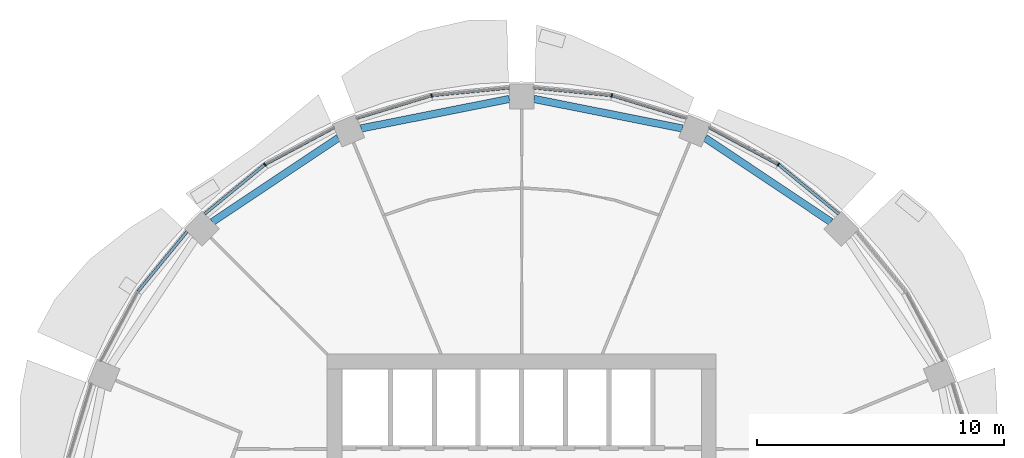
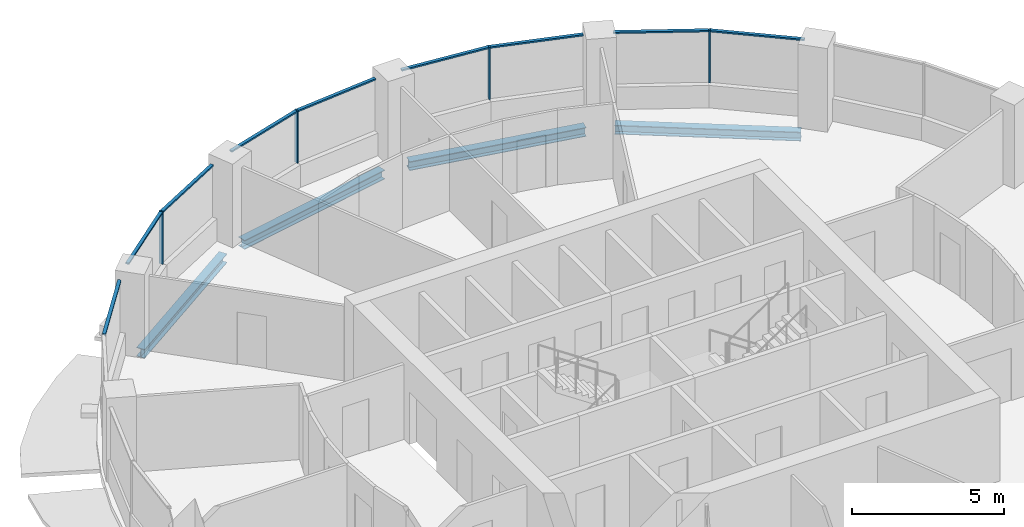
# One storey, part 6 of 14: 13 members, 4 beams, 5 elements without a shape of their own.
"""IFC4 building model written with IfcOpenShell, lengths in metres."""

from ifc_helpers import new_model, si_unit, direction, frame, origin, origin_2d, place, context, subcontext, project, spatial, rectangle, i_section, extrude, material, material_profile, profile_set, type_object, element, aggregate, save


model = new_model("IFC4")

# Units and contexts
model_context = context("Model", 3, precision=1e-05, world=origin(), true_north=direction((0.0, 1.0)))
body_context = subcontext(model_context, "Body", "Model", "MODEL_VIEW")
ifc_project = project(units=[si_unit("LENGTHUNIT", "METRE"), si_unit("AREAUNIT", "SQUARE_METRE"), si_unit("VOLUMEUNIT", "CUBIC_METRE"), si_unit("PLANEANGLEUNIT", "RADIAN"), si_unit("MASSUNIT", "GRAM", prefix="KILO")], contexts=[model_context])

# Site, building, storey
site_placement = place(None, origin())
site = spatial("IfcSite", under=ifc_project, at=site_placement, CompositionType="ELEMENT")
building_placement = place(site_placement, origin())
building = spatial("IfcBuilding", under=site, at=building_placement, Name="Polderwave Tower", CompositionType="ELEMENT")
storey_placement = place(building_placement, frame((0.0, 0.0, 141.050048828125)))
storey = spatial("IfcBuildingStorey", under=building, at=storey_placement, Name="L37", CompositionType="ELEMENT", Elevation=141.050048828125)

# Curtain wall, member
ifc_material_1 = material(Name="Aluminium 6063-T6 and glass", Category="aluminium")
curtain_wall_type = type_object("IfcCurtainWallType", Name="Office ribbon glazing wall", PredefinedType="NOTDEFINED", material=ifc_material_1)
curtain_wall_1_placement = place(storey_placement, origin())
curtain_wall_1 = element("IfcCurtainWall", 1, at=curtain_wall_1_placement, inside=storey, type_object=curtain_wall_type, Name="CW3 L37 02", PredefinedType="NOTDEFINED")
ifc_material_2 = material(Name="Aluminium 6063-T6", Category="aluminium")
ifc_material_profile_1 = material_profile(ifc_material_2, rectangle(XDim=0.139892578125, YDim=0.054931640625, at=origin_2d()), Name="AL 55x140")
ifc_profile_set_1 = profile_set([ifc_material_profile_1], Name="Aluminium 6063-T6")
member_type_1 = type_object("IfcMemberType", Name="Office ribbon glazing mullion 55x140", PredefinedType="MULLION", material=ifc_profile_set_1)
member_1_placement = place(storey_placement, frame((10.388916015625, 15.548095703125, 0.89990234375), z_axis=(0.0, 0.0, 1.0), x_axis=(-0.555512184136, -0.831508396395, 0.0)))
member_1 = element("IfcMember", 2, at=member_1_placement, type_object=member_type_1, Name="CW3 mullion 1", PredefinedType="MULLION", context=body_context, shape_type="SweptSolid", body=[
    extrude(rectangle(XDim=0.139892578125, YDim=0.054931640625, at=origin_2d()), origin(), (0.0, 0.0, 1.0), 2.10009765625),
])

curtain_wall_2_placement = place(storey_placement, origin())
curtain_wall_2 = element("IfcCurtainWall", 3, at=curtain_wall_2_placement, inside=storey, type_object=curtain_wall_type, Name="CW3 L37 03", PredefinedType="NOTDEFINED")
member_2_placement = place(storey_placement, frame((3.64794921875, 18.341064453125, 0.89990234375), z_axis=(0.0, 0.0, 1.0), x_axis=(-0.195196452055, -0.980764163857, 0.0)))
member_2 = element("IfcMember", 4, at=member_2_placement, type_object=member_type_1, Name="CW3 mullion 1", PredefinedType="MULLION", context=body_context, shape_type="SweptSolid", body=[
    extrude(rectangle(XDim=0.139892578125, YDim=0.054931640625, at=origin_2d()), origin(), (0.0, 0.0, 1.0), 2.10009765625),
])

curtain_wall_3_placement = place(storey_placement, origin())
curtain_wall_3 = element("IfcCurtainWall", 5, at=curtain_wall_3_placement, inside=storey, type_object=curtain_wall_type, Name="CW3 L37 04", PredefinedType="NOTDEFINED")
member_3_placement = place(storey_placement, frame((-3.64794921875, 18.341064453125, 0.89990234375), z_axis=(0.0, 0.0, 1.0), x_axis=(0.195196452055, -0.980764163857, 0.0)))
member_3 = element("IfcMember", 6, at=member_3_placement, type_object=member_type_1, Name="CW3 mullion 1", PredefinedType="MULLION", context=body_context, shape_type="SweptSolid", body=[
    extrude(rectangle(XDim=0.139892578125, YDim=0.054931640625, at=origin_2d()), origin(), (0.0, 0.0, 1.0), 2.10009765625),
])

curtain_wall_4_placement = place(storey_placement, origin())
curtain_wall_4 = element("IfcCurtainWall", 7, at=curtain_wall_4_placement, inside=storey, type_object=curtain_wall_type, Name="CW3 L37 05", PredefinedType="NOTDEFINED")
member_4_placement = place(storey_placement, frame((-10.388916015625, 15.548095703125, 0.89990234375), z_axis=(0.0, 0.0, 1.0), x_axis=(0.555512184136, -0.831508396395, 0.0)))
member_4 = element("IfcMember", 8, at=member_4_placement, type_object=member_type_1, Name="CW3 mullion 1", PredefinedType="MULLION", context=body_context, shape_type="SweptSolid", body=[
    extrude(rectangle(XDim=0.139892578125, YDim=0.054931640625, at=origin_2d()), origin(), (0.0, 0.0, 1.0), 2.10009765625),
])

# Member
ifc_material_profile_2 = material_profile(ifc_material_2, rectangle(XDim=0.1201171875, YDim=0.06005859375, at=origin_2d()), Name="AL 60x120")
ifc_profile_set_2 = profile_set([ifc_material_profile_2], Name="Aluminium 6063-T6")
member_type_2 = type_object("IfcMemberType", Name="Office ribbon glazing transom 60x120", PredefinedType="USERDEFINED", material=ifc_profile_set_2)
member_5_placement = place(storey_placement, frame((12.8349609375, 13.5419921875, 2.969970703125), z_axis=(-0.773207470816, 0.634153141657, 0.0), x_axis=(-0.634153141657, -0.773207470816, 0.0)))
member_5 = element("IfcMember", 9, at=member_5_placement, type_object=member_type_2, Name="CW3 transom 1", ObjectType="TRANSOM", PredefinedType="USERDEFINED", context=body_context, shape_type="SweptSolid", body=[
    extrude(rectangle(XDim=0.1201171875, YDim=0.06005859375, at=origin_2d()), origin(), (0.0, 0.0, 1.0), 3.1357421875),
])

member_6_placement = place(storey_placement, frame((10.36474609375, 15.56103515625, 2.969970703125), z_axis=(-0.881822284691, 0.471581867996, 0.0), x_axis=(-0.471581867996, -0.881822284691, 0.0)))
member_6 = element("IfcMember", 10, at=member_6_placement, type_object=member_type_2, Name="CW3 transom 2", ObjectType="TRANSOM", PredefinedType="USERDEFINED", context=body_context, shape_type="SweptSolid", body=[
    extrude(rectangle(XDim=0.1201171875, YDim=0.06005859375, at=origin_2d()), origin(), (0.0, 0.0, 1.0), 3.13623046875),
])

aggregate(curtain_wall_1, [member_1, member_5, member_6])

member_7_placement = place(storey_placement, frame((6.675048828125, 17.422119140625, 2.969970703125), z_axis=(-0.956884827172, 0.290467601512, 0.0), x_axis=(-0.290467601512, -0.956884827172, 0.0)))
member_7 = element("IfcMember", 11, at=member_7_placement, type_object=member_type_2, Name="CW3 transom 1", ObjectType="TRANSOM", PredefinedType="USERDEFINED", context=body_context, shape_type="SweptSolid", body=[
    extrude(rectangle(XDim=0.1201171875, YDim=0.06005859375, at=origin_2d()), origin(), (0.0, 0.0, 1.0), 3.135986328125),
])

member_8_placement = place(storey_placement, frame((3.62060546875, 18.34375, 2.969970703125), z_axis=(-0.995191689442, 0.097946420382, 0.0), x_axis=(-0.097946420382, -0.995191689442, 0.0)))
member_8 = element("IfcMember", 12, at=member_8_placement, type_object=member_type_2, Name="CW3 transom 2", ObjectType="TRANSOM", PredefinedType="USERDEFINED", context=body_context, shape_type="SweptSolid", body=[
    extrude(rectangle(XDim=0.1201171875, YDim=0.06005859375, at=origin_2d()), origin(), (0.0, 0.0, 1.0), 3.1357421875),
])

aggregate(curtain_wall_2, [member_2, member_7, member_8])

member_9_placement = place(storey_placement, frame((-0.5, 18.65087890625, 2.969970703125), z_axis=(-0.995191689442, -0.097946420382, 0.0), x_axis=(0.097946420382, -0.995191689442, 0.0)))
member_9 = element("IfcMember", 13, at=member_9_placement, type_object=member_type_2, Name="CW3 transom 1", ObjectType="TRANSOM", PredefinedType="USERDEFINED", context=body_context, shape_type="SweptSolid", body=[
    extrude(rectangle(XDim=0.1201171875, YDim=0.06005859375, at=origin_2d()), origin(), (0.0, 0.0, 1.0), 3.1357421875),
])

member_10_placement = place(storey_placement, frame((-3.67431640625, 18.3330078125, 2.969970703125), z_axis=(-0.956884827172, -0.290467601512, 0.0), x_axis=(0.290467601512, -0.956884827172, 0.0)))
member_10 = element("IfcMember", 14, at=member_10_placement, type_object=member_type_2, Name="CW3 transom 2", ObjectType="TRANSOM", PredefinedType="USERDEFINED", context=body_context, shape_type="SweptSolid", body=[
    extrude(rectangle(XDim=0.1201171875, YDim=0.06005859375, at=origin_2d()), origin(), (0.0, 0.0, 1.0), 3.135986328125),
])

aggregate(curtain_wall_3, [member_3, member_9, member_10])

member_11_placement = place(storey_placement, frame((-7.59912109375, 17.0400390625, 2.969970703125), z_axis=(-0.881822284691, -0.471581867996, 0.0), x_axis=(0.471581867996, -0.881822284691, 0.0)))
member_11 = element("IfcMember", 15, at=member_11_placement, type_object=member_type_2, Name="CW3 transom 1", ObjectType="TRANSOM", PredefinedType="USERDEFINED", context=body_context, shape_type="SweptSolid", body=[
    extrude(rectangle(XDim=0.1201171875, YDim=0.06005859375, at=origin_2d()), origin(), (0.0, 0.0, 1.0), 3.13623046875),
])

member_12_placement = place(storey_placement, frame((-10.410400390625, 15.530517578125, 2.969970703125), z_axis=(-0.773207470816, -0.634153141657, 0.0), x_axis=(0.634153141657, -0.773207470816, 0.0)))
member_12 = element("IfcMember", 16, at=member_12_placement, type_object=member_type_2, Name="CW3 transom 2", ObjectType="TRANSOM", PredefinedType="USERDEFINED", context=body_context, shape_type="SweptSolid", body=[
    extrude(rectangle(XDim=0.1201171875, YDim=0.06005859375, at=origin_2d()), origin(), (0.0, 0.0, 1.0), 3.1357421875),
])

aggregate(curtain_wall_4, [member_4, member_11, member_12])

# Curtain wall, member
curtain_wall_5_placement = place(storey_placement, origin())
curtain_wall_5 = element("IfcCurtainWall", 17, at=curtain_wall_5_placement, inside=storey, type_object=curtain_wall_type, Name="CW3 L37 06", PredefinedType="NOTDEFINED")
member_13_placement = place(storey_placement, frame((-13.5419921875, 12.8349609375, 2.969970703125), z_axis=(-0.634153141657, -0.773207470816, 0.0), x_axis=(0.773207470816, -0.634153141657, 0.0)))
member_13 = element("IfcMember", 18, at=member_13_placement, type_object=member_type_2, Name="CW3 transom 1", ObjectType="TRANSOM", PredefinedType="USERDEFINED", context=body_context, shape_type="SweptSolid", body=[
    extrude(rectangle(XDim=0.1201171875, YDim=0.06005859375, at=origin_2d()), origin(), (0.0, 0.0, 1.0), 3.1357421875),
])
aggregate(curtain_wall_5, [member_13])

# Beams
ifc_material_3 = material(Name="Steel S355", Category="steel")
ifc_material_profile_3 = material_profile(ifc_material_3, i_section(OverallWidth=0.300048828125, OverallDepth=0.360107421875, WebThickness=0.012451171875, FlangeThickness=0.0224609375, at=origin_2d()), Name="HE 360 B")
ifc_profile_set_3 = profile_set([ifc_material_profile_3], Name="Steel S355")
beam_type = type_object("IfcBeamType", Name="RING BEAM HE 360 B", PredefinedType="BEAM", material=ifc_profile_set_3)
beam_1_placement = place(storey_placement, frame((12.51611328125, 13.223388671875, -0.530029296875), z_axis=(-0.831472997284, 0.555565167003, 0.0), x_axis=(-0.555565167003, -0.831472997284, 0.0)))
element("IfcBeam", 19, at=beam_1_placement, inside=storey, type_object=beam_type, Name="ST-RB-L37-02", PredefinedType="BEAM", context=body_context, shape_type="SweptSolid", body=[
    extrude(i_section(OverallWidth=0.300048828125, OverallDepth=0.360107421875, WebThickness=0.012451171875, FlangeThickness=0.0224609375, at=origin_2d()), origin(), (0.0, 0.0, 1.0), 6.12060546875),
])
for number, where, z_axis, x_axis, name in (
    (20, (6.503173828125, 17.00634765625, -0.530029296875), (-0.980785709335, 0.195088165617, 0.0), (-0.195088165617, -0.980785709335, 0.0), "ST-RB-L37-03"),
    (21, (-0.5, 18.200439453125, -0.530029296875), (-0.980785709335, -0.195088165617, 0.0), (0.195088165617, -0.980785709335, 0.0), "ST-RB-L37-04"),
):
    element("IfcBeam", number, at=place(storey_placement, frame(where, z_axis=z_axis, x_axis=x_axis)), inside=storey, type_object=beam_type, Name=name, PredefinedType="BEAM", context=body_context, shape_type="SweptSolid", body=[
        extrude(i_section(OverallWidth=0.300048828125, OverallDepth=0.360107421875, WebThickness=0.012451171875, FlangeThickness=0.0224609375, at=origin_2d()), origin(), (0.0, 0.0, 1.0), 6.120849609375),
    ])
beam_2_placement = place(storey_placement, frame((-7.427001953125, 16.623779296875, -0.530029296875), z_axis=(-0.831472997284, -0.555565167003, 0.0), x_axis=(0.555565167003, -0.831472997284, 0.0)))
element("IfcBeam", 22, at=beam_2_placement, inside=storey, type_object=beam_type, Name="ST-RB-L37-05", PredefinedType="BEAM", context=body_context, shape_type="SweptSolid", body=[
    extrude(i_section(OverallWidth=0.300048828125, OverallDepth=0.360107421875, WebThickness=0.012451171875, FlangeThickness=0.0224609375, at=origin_2d()), origin(), (0.0, 0.0, 1.0), 6.12060546875),
])

save(model, "model.ifc")
